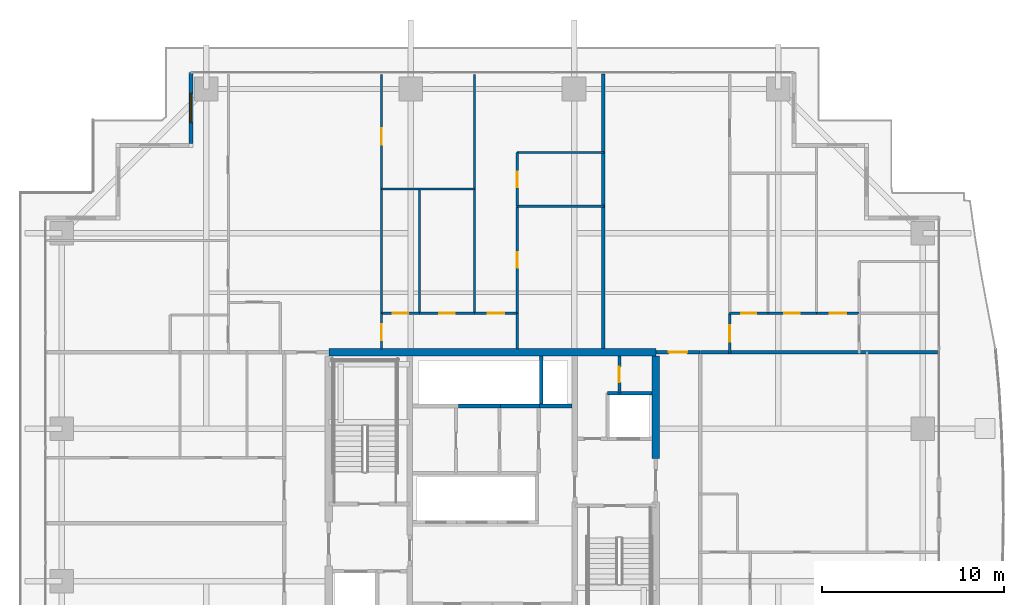
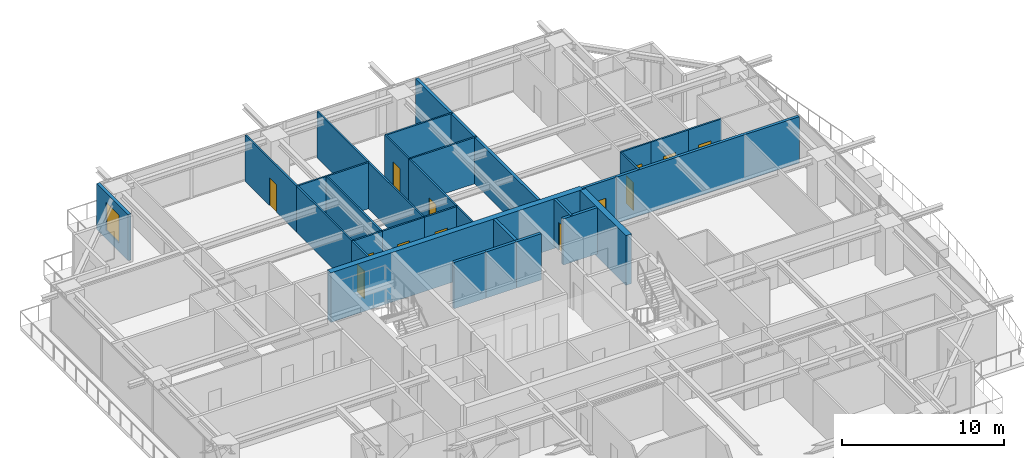
# One storey, part 31 of 38: 30 walls, 13 doors, 1 window, 14 openings.
"""IFC4 building model written with IfcOpenShell, lengths in metres."""

from ifc_helpers import new_model, si_unit, direction, frame, frame_2d, origin, place, context, subcontext, project, spatial, rectangle, extrude, source, transform, mapped, material, layer, layer_set, type_object, element, fill, save


model = new_model("IFC4")

# Units and contexts
model_context = context("Model", 3, precision=1e-05, world=origin(), true_north=direction((0.0, 1.0)))
body_context = subcontext(model_context, "Body", "Model", "MODEL_VIEW")
ifc_project = project(units=[si_unit("LENGTHUNIT", "METRE"), si_unit("AREAUNIT", "SQUARE_METRE"), si_unit("VOLUMEUNIT", "CUBIC_METRE"), si_unit("PLANEANGLEUNIT", "RADIAN"), si_unit("MASSUNIT", "GRAM", prefix="KILO")], contexts=[model_context])

# Site, building, storey
site_placement = place(None, origin())
site = spatial("IfcSite", under=ifc_project, at=site_placement, CompositionType="ELEMENT")
building_placement = place(site_placement, origin())
building = spatial("IfcBuilding", under=site, at=building_placement, Name="Serunith Strait Residences", CompositionType="ELEMENT")
storey_placement = place(building_placement, frame((0.0, 0.0, 176.39990234375)))
storey = spatial("IfcBuildingStorey", under=building, at=storey_placement, Name="L44", CompositionType="ELEMENT", Elevation=176.39990234375)

# Wall, opening, window
ifc_material_1 = material(Name="Pale-Champagne Aluminium Insulated Panel", Category="aluminium")
ifc_layer_1 = layer(ifc_material_1, 0.219970703125, Name="Pale-Champagne Aluminium Insulated Panel")
ifc_layer_set_1 = layer_set([ifc_layer_1], Name="Pale-Champagne Aluminium Insulated Panel")
wall_type_1 = type_object("IfcWallType", Name="EW-ALUM-220", PredefinedType="ELEMENTEDWALL", material=ifc_layer_set_1)
wall_1_placement = place(storey_placement, frame((15.800048828125, 49.0, 0.0), z_axis=(0.0, 0.0, 1.0), x_axis=(0.0, -1.0, 0.0)))
wall_1 = element("IfcWall", 1, at=wall_1_placement, inside=storey, type_object=wall_type_1, Name="L44 Girih Serrated Corner Wall 12", PredefinedType="ELEMENTEDWALL", context=body_context, shape_type="SweptSolid", body=[
    extrude(rectangle(XDim=3.889892578125, YDim=0.219970703125, at=frame_2d((1.94482421875, 0.0))), origin(), (0.0, 0.0, 1.0), 3.47509765625),
])
opening_1_placement = place(wall_1_placement, frame((1.14501953125, 0.0, 0.64990234375)))
opening_1 = element("IfcOpeningElement", 2, at=opening_1_placement, cuts=wall_1, Name="Opening W-02", PredefinedType="OPENING", context=body_context, shape_type="SweptSolid", body=[
    extrude(rectangle(XDim=1.60009765625, YDim=2.10009765625, at=frame_2d((0.800048828125, 1.050048828125))), frame((0.0, 0.1201171875, 0.0), z_axis=(0.0, -1.0, 0.0), x_axis=(1.0, 0.0, 0.0)), (0.0, 0.0, 1.0), 0.239990234375),
])
ifc_material_2 = material(Name="Ceramic-Fritted Operable Aluminium Window Glass", Category="aluminium")
window_type = type_object("IfcWindowType", Name="WIN-C2", PartitioningType="DOUBLE_PANEL_VERTICAL", PredefinedType="WINDOW", material=ifc_material_2)
shared_shape_1 = source(origin(), body_context, "Body", "SweptSolid", [
    extrude(rectangle(XDim=1.60009765625, YDim=2.10009765625, at=frame_2d((0.800048828125, 1.050048828125))), frame((0.0, 0.030029296875, 0.0), z_axis=(0.0, -1.0, 0.0), x_axis=(1.0, 0.0, 0.0)), (0.0, 0.0, 1.0), 0.06005859375),
])
window_placement = place(opening_1_placement, origin())
window = element("IfcWindow", 3, at=window_placement, inside=storey, type_object=window_type, Name="L44 Corner Operable Fritted Window 12", OverallHeight=2.10009765625, OverallWidth=1.60009765625, PartitioningType="SINGLE_PANEL", PredefinedType="WINDOW", context=body_context, shape_type="MappedRepresentation", body=[
    mapped(shared_shape_1, transform((0.0, 0.0, 0.0), scale=1.0)),
])
fill(opening_1, window)

# Wall, opening, door
ifc_material_3 = material(Name="Fire-rated masonry service closet wall", Category="masonry")
ifc_layer_2 = layer(ifc_material_3, 0.14990234375, Name="Fire-rated masonry service closet wall")
ifc_layer_set_2 = layer_set([ifc_layer_2], Name="Fire-rated masonry service closet wall")
wall_type_2 = type_object("IfcWallType", Name="IW-BOH-150", PredefinedType="PARTITIONING", material=ifc_layer_set_2)
wall_2_placement = place(storey_placement, frame((39.39990234375, 31.35009765625, 0.0), z_axis=(0.0, 0.0, 1.0), x_axis=(0.0, 1.0, 0.0)))
wall_2 = element("IfcWall", 4, at=wall_2_placement, inside=storey, type_object=wall_type_2, Name="L44 Partition Wall 013", PredefinedType="PARTITIONING", context=body_context, shape_type="SweptSolid", body=[
    extrude(rectangle(XDim=2.0498046875, YDim=0.14990234375, at=frame_2d((1.02490234375, 0.0))), origin(), (0.0, 0.0, 1.0), 3.489990234375),
])
opening_2_placement = place(wall_2_placement, frame((0.60009765625, 0.0, 0.0)))
opening_2 = element("IfcOpeningElement", 5, at=opening_2_placement, cuts=wall_2, Name="Opening FD-850", PredefinedType="OPENING", context=body_context, shape_type="SweptSolid", body=[
    extrude(rectangle(XDim=0.85009765625, YDim=2.10009765625, at=frame_2d((0.425048828125, 1.050048828125))), frame((0.0, 0.0849609375, 0.0), z_axis=(0.0, -1.0, 0.0), x_axis=(1.0, 0.0, 0.0)), (0.0, 0.0, 1.0), 0.169921875),
])
ifc_material_4 = material(Name="Powder-coated steel service closet door", Category="steel")
door_type_1 = type_object("IfcDoorType", Name="FD-BOH-850", OperationType="NOTDEFINED", PredefinedType="DOOR", material=ifc_material_4)
shared_shape_2 = source(origin(), body_context, "Body", "SweptSolid", [
    extrude(rectangle(XDim=0.85009765625, YDim=2.10009765625, at=frame_2d((0.425048828125, 1.050048828125))), frame((0.0, 0.02490234375, 0.0), z_axis=(0.0, -1.0, 0.0), x_axis=(1.0, 0.0, 0.0)), (0.0, 0.0, 1.0), 0.050048828125),
])
door_1_placement = place(opening_2_placement, origin())
door_1 = element("IfcDoor", 6, at=door_1_placement, inside=storey, type_object=door_type_1, Name="L44 Janitor Store Door", OperationType="SINGLE_SWING_LEFT", OverallHeight=2.10009765625, OverallWidth=0.85009765625, PredefinedType="DOOR", context=body_context, shape_type="MappedRepresentation", body=[
    mapped(shared_shape_2, transform((0.0, 0.0, 0.0), scale=1.0)),
])
fill(opening_2, door_1)

ifc_material_5 = material(Name="Fire-rated acoustic gypsum partition")
ifc_layer_3 = layer(ifc_material_5, 0.179931640625, Name="Fire-rated acoustic gypsum partition")
ifc_layer_set_3 = layer_set([ifc_layer_3], Name="Fire-rated acoustic gypsum partition")
wall_type_3 = type_object("IfcWallType", Name="IW-CORR-180", PredefinedType="PARTITIONING", material=ifc_layer_set_3)
wall_3_placement = place(storey_placement, frame((41.402099609375, 33.60009765625, 0.0), z_axis=(0.0, 0.0, 1.0), x_axis=(1.0, 0.0, 0.0)))
wall_3 = element("IfcWall", 7, at=wall_3_placement, inside=storey, type_object=wall_type_3, Name="L44 Partition Wall 031", PredefinedType="PARTITIONING", context=body_context, shape_type="SweptSolid", body=[
    extrude(rectangle(XDim=2.44580078125, YDim=0.179931640625, at=frame_2d((1.222900390625, 0.0))), origin(), (0.0, 0.0, 1.0), 3.489990234375),
])
opening_3_placement = place(wall_3_placement, frame((0.722900390625, 0.0, 0.0)))
opening_3 = element("IfcOpeningElement", 8, at=opening_3_placement, cuts=wall_3, Name="Opening D-APT1000", PredefinedType="OPENING", context=body_context, shape_type="SweptSolid", body=[
    extrude(rectangle(XDim=1.0, YDim=2.14990234375, at=frame_2d((0.5, 1.074951171875))), frame((0.0, 0.10009765625, 0.0), z_axis=(0.0, -1.0, 0.0), x_axis=(1.0, 0.0, 0.0)), (0.0, 0.0, 1.0), 0.199951171875),
])
ifc_material_6 = material(Name="Solid timber engineered fire door", Category="wood")
door_type_2 = type_object("IfcDoorType", Name="ID-APT-1000", OperationType="NOTDEFINED", PredefinedType="DOOR", material=ifc_material_6)
shared_shape_3 = source(origin(), body_context, "Body", "SweptSolid", [
    extrude(rectangle(XDim=1.0, YDim=2.14990234375, at=frame_2d((0.5, 1.074951171875))), frame((0.0, 0.02490234375, 0.0), z_axis=(0.0, -1.0, 0.0), x_axis=(1.0, 0.0, 0.0)), (0.0, 0.0, 1.0), 0.050048828125),
])
door_2_placement = place(opening_3_placement, origin())
door_2 = element("IfcDoor", 9, at=door_2_placement, inside=storey, type_object=door_type_2, Name="L44 Unit 04 Entrance Door", OperationType="SINGLE_SWING_LEFT", OverallHeight=2.14990234375, OverallWidth=1.0, PredefinedType="DOOR", context=body_context, shape_type="MappedRepresentation", body=[
    mapped(shared_shape_3, transform((0.0, 0.0, 0.0), scale=1.0)),
])
fill(opening_3, door_2)

ifc_material_7 = material(Name="Lightweight steel-stud gypsum partition", Category="steel")
ifc_layer_4 = layer(ifc_material_7, 0.1201171875, Name="Lightweight steel-stud gypsum partition")
ifc_layer_set_4 = layer_set([ifc_layer_4], Name="Lightweight steel-stud gypsum partition")
wall_type_4 = type_object("IfcWallType", Name="IW-PART-120", PredefinedType="PARTITIONING", material=ifc_layer_set_4)
wall_4_placement = place(storey_placement, frame((26.300048828125, 35.75, 0.0), z_axis=(0.0, 0.0, 1.0), x_axis=(0.0, -1.0, 0.0)))
wall_4 = element("IfcWall", 10, at=wall_4_placement, inside=storey, type_object=wall_type_4, Name="L44 Partition Wall 077", PredefinedType="PARTITIONING", context=body_context, shape_type="SweptSolid", body=[
    extrude(rectangle(XDim=1.949951171875, YDim=0.1201171875, at=frame_2d((0.97509765625, 0.0))), origin(), (0.0, 0.0, 1.0), 3.489990234375),
])
opening_4_placement = place(wall_4_placement, frame((0.594970703125, 0.0, 0.0)))
opening_4 = element("IfcOpeningElement", 11, at=opening_4_placement, cuts=wall_4, Name="Opening D-RM900", PredefinedType="OPENING", context=body_context, shape_type="SweptSolid", body=[
    extrude(rectangle(XDim=0.89990234375, YDim=2.10009765625, at=frame_2d((0.449951171875, 1.050048828125))), frame((0.0, 0.070068359375, 0.0), z_axis=(0.0, -1.0, 0.0), x_axis=(1.0, 0.0, 0.0)), (0.0, 0.0, 1.0), 0.14013671875),
])
ifc_material_8 = material(Name="Engineered timber flush bedroom door", Category="wood")
door_type_3 = type_object("IfcDoorType", Name="ID-ROOM-900", OperationType="NOTDEFINED", PredefinedType="DOOR", material=ifc_material_8)
shared_shape_4 = source(origin(), body_context, "Body", "SweptSolid", [
    extrude(rectangle(XDim=0.89990234375, YDim=2.10009765625, at=frame_2d((0.449951171875, 1.050048828125))), frame((0.0, 0.02490234375, 0.0), z_axis=(0.0, -1.0, 0.0), x_axis=(1.0, 0.0, 0.0)), (0.0, 0.0, 1.0), 0.050048828125),
])
door_3_placement = place(opening_4_placement, origin())
door_3 = element("IfcDoor", 12, at=door_3_placement, inside=storey, type_object=door_type_3, Name="L44 Hall E 4403 Door", OperationType="SINGLE_SWING_LEFT", OverallHeight=2.10009765625, OverallWidth=0.89990234375, PredefinedType="DOOR", context=body_context, shape_type="MappedRepresentation", body=[
    mapped(shared_shape_4, transform((0.0, 0.0, 0.0), scale=1.0)),
])
fill(opening_4, door_3)

wall_5_placement = place(storey_placement, frame((26.300048828125, 48.905029296875, 0.0), z_axis=(0.0, 0.0, 1.0), x_axis=(0.0, -1.0, 0.0)))
wall_5 = element("IfcWall", 13, at=wall_5_placement, inside=storey, type_object=wall_type_4, Name="L44 Partition Wall 078", PredefinedType="PARTITIONING", context=body_context, shape_type="SweptSolid", body=[
    extrude(rectangle(XDim=6.31298828125, YDim=0.1201171875, at=frame_2d((3.156494140625, 0.0))), origin(), (0.0, 0.0, 1.0), 3.489990234375),
])
opening_5_placement = place(wall_5_placement, frame((2.97705078125, 0.0, 0.0)))
opening_5 = element("IfcOpeningElement", 14, at=opening_5_placement, cuts=wall_5, Name="Opening D-RM900", PredefinedType="OPENING", context=body_context, shape_type="SweptSolid", body=[
    extrude(rectangle(XDim=0.89990234375, YDim=2.10009765625, at=frame_2d((0.449951171875, 1.050048828125))), frame((0.0, 0.070068359375, 0.0), z_axis=(0.0, -1.0, 0.0), x_axis=(1.0, 0.0, 0.0)), (0.0, 0.0, 1.0), 0.14013671875),
])
door_4_placement = place(opening_5_placement, origin())
door_4 = element("IfcDoor", 15, at=door_4_placement, inside=storey, type_object=door_type_3, Name="L44 Formal Dining Room 2 4403 Door", OperationType="SINGLE_SWING_RIGHT", OverallHeight=2.10009765625, OverallWidth=0.89990234375, PredefinedType="DOOR", context=body_context, shape_type="MappedRepresentation", body=[
    mapped(shared_shape_4, transform((0.0, 0.0, 0.0), scale=1.0)),
])
fill(opening_5, door_4)

# Walls
wall_6_placement = place(storey_placement, frame((26.300048828125, 42.590087890625, 0.0), z_axis=(0.0, 0.0, 1.0), x_axis=(0.0, -1.0, 0.0)))
element("IfcWall", 16, at=wall_6_placement, inside=storey, type_object=wall_type_4, Name="L44 Partition Wall 079", PredefinedType="PARTITIONING", context=body_context, shape_type="SweptSolid", body=[
    extrude(rectangle(XDim=6.838134765625, YDim=0.1201171875, at=frame_2d((3.4189453125, 0.0))), origin(), (0.0, 0.0, 1.0), 3.489990234375),
])
wall_7_placement = place(storey_placement, frame((26.300048828125, 42.592041015625, 0.0), z_axis=(0.0, 0.0, 1.0), x_axis=(1.0, 0.0, 0.0)))
element("IfcWall", 17, at=wall_7_placement, inside=storey, type_object=wall_type_4, Name="L44 Partition Wall 080", PredefinedType="PARTITIONING", context=body_context, shape_type="SweptSolid", body=[
    extrude(rectangle(XDim=5.119873046875, YDim=0.1201171875, at=frame_2d((2.56005859375, 0.0))), origin(), (0.0, 0.0, 1.0), 3.489990234375),
])
wall_8_placement = place(storey_placement, frame((31.419921875, 48.905029296875, 0.0), z_axis=(0.0, 0.0, 1.0), x_axis=(0.0, -1.0, 0.0)))
element("IfcWall", 18, at=wall_8_placement, inside=storey, type_object=wall_type_4, Name="L44 Partition Wall 081", PredefinedType="PARTITIONING", context=body_context, shape_type="SweptSolid", body=[
    extrude(rectangle(XDim=13.155029296875, YDim=0.1201171875, at=frame_2d((6.57763671875, 0.0))), origin(), (0.0, 0.0, 1.0), 3.489990234375),
])
wall_9_placement = place(storey_placement, frame((28.39990234375, 42.592041015625, 0.0), z_axis=(0.0, 0.0, 1.0), x_axis=(0.0, -1.0, 0.0)))
element("IfcWall", 19, at=wall_9_placement, inside=storey, type_object=wall_type_4, Name="L44 Partition Wall 082", PredefinedType="PARTITIONING", context=body_context, shape_type="SweptSolid", body=[
    extrude(rectangle(XDim=6.842041015625, YDim=0.1201171875, at=frame_2d((3.4208984375, 0.0))), origin(), (0.0, 0.0, 1.0), 3.489990234375),
])

# Wall, opening, door
wall_10_placement = place(storey_placement, frame((26.300048828125, 35.75, 0.0), z_axis=(0.0, 0.0, 1.0), x_axis=(1.0, 0.0, 0.0)))
wall_10 = element("IfcWall", 20, at=wall_10_placement, inside=storey, type_object=wall_type_4, Name="L44 Partition Wall 083", PredefinedType="PARTITIONING", context=body_context, shape_type="SweptSolid", body=[
    extrude(rectangle(XDim=2.099853515625, YDim=0.1201171875, at=frame_2d((1.0498046875, 0.0))), origin(), (0.0, 0.0, 1.0), 3.489990234375),
])
opening_6_placement = place(wall_10_placement, frame((0.625, 0.0, 0.0)))
opening_6 = element("IfcOpeningElement", 21, at=opening_6_placement, cuts=wall_10, Name="Opening D-RM850", PredefinedType="OPENING", context=body_context, shape_type="SweptSolid", body=[
    extrude(rectangle(XDim=0.85009765625, YDim=2.10009765625, at=frame_2d((0.425048828125, 1.050048828125))), frame((0.0, 0.070068359375, 0.0), z_axis=(0.0, -1.0, 0.0), x_axis=(1.0, 0.0, 0.0)), (0.0, 0.0, 1.0), 0.14013671875),
])
ifc_material_9 = material(Name="Engineered timber flush study and kitchen door", Category="wood")
door_type_4 = type_object("IfcDoorType", Name="ID-ROOM-850", OperationType="NOTDEFINED", PredefinedType="DOOR", material=ifc_material_9)
door_5_placement = place(opening_6_placement, origin())
door_5 = element("IfcDoor", 22, at=door_5_placement, inside=storey, type_object=door_type_4, Name="L44 Study 4403 Door", OperationType="SINGLE_SWING_LEFT", OverallHeight=2.10009765625, OverallWidth=0.85009765625, PredefinedType="DOOR", context=body_context, shape_type="MappedRepresentation", body=[
    mapped(shared_shape_2, transform((0.0, 0.0, 0.0), scale=1.0)),
])
fill(opening_6, door_5)

wall_11_placement = place(storey_placement, frame((28.402099609375, 35.75, 0.0), z_axis=(0.0, 0.0, 1.0), x_axis=(1.0, 0.0, 0.0)))
wall_11 = element("IfcWall", 23, at=wall_11_placement, inside=storey, type_object=wall_type_4, Name="L44 Partition Wall 084", PredefinedType="PARTITIONING", context=body_context, shape_type="SweptSolid", body=[
    extrude(rectangle(XDim=3.017822265625, YDim=0.1201171875, at=frame_2d((1.5087890625, 0.0))), origin(), (0.0, 0.0, 1.0), 3.489990234375),
])
opening_7_placement = place(wall_11_placement, frame((1.083984375, 0.0, 0.0)))
opening_7 = element("IfcOpeningElement", 24, at=opening_7_placement, cuts=wall_11, Name="Opening D-RM850", PredefinedType="OPENING", context=body_context, shape_type="SweptSolid", body=[
    extrude(rectangle(XDim=0.85009765625, YDim=2.10009765625, at=frame_2d((0.425048828125, 1.050048828125))), frame((0.0, 0.070068359375, 0.0), z_axis=(0.0, -1.0, 0.0), x_axis=(1.0, 0.0, 0.0)), (0.0, 0.0, 1.0), 0.14013671875),
])
door_6_placement = place(opening_7_placement, origin())
door_6 = element("IfcDoor", 25, at=door_6_placement, inside=storey, type_object=door_type_4, Name="L44 Formal Dining Room 4403 Door", OperationType="SINGLE_SWING_RIGHT", OverallHeight=2.10009765625, OverallWidth=0.85009765625, PredefinedType="DOOR", context=body_context, shape_type="MappedRepresentation", body=[
    mapped(shared_shape_2, transform((0.0, 0.0, 0.0), scale=1.0)),
])
fill(opening_7, door_6)

wall_12_placement = place(storey_placement, frame((31.422119140625, 35.75, 0.0), z_axis=(0.0, 0.0, 1.0), x_axis=(1.0, 0.0, 0.0)))
wall_12 = element("IfcWall", 26, at=wall_12_placement, inside=storey, type_object=wall_type_4, Name="L44 Partition Wall 085", PredefinedType="PARTITIONING", context=body_context, shape_type="SweptSolid", body=[
    extrude(rectangle(XDim=2.347900390625, YDim=0.1201171875, at=frame_2d((1.173828125, 0.0))), origin(), (0.0, 0.0, 1.0), 3.489990234375),
])
opening_8_placement = place(wall_12_placement, frame((0.72412109375, 0.0, 0.0)))
opening_8 = element("IfcOpeningElement", 27, at=opening_8_placement, cuts=wall_12, Name="Opening D-RM900", PredefinedType="OPENING", context=body_context, shape_type="SweptSolid", body=[
    extrude(rectangle(XDim=0.89990234375, YDim=2.10009765625, at=frame_2d((0.449951171875, 1.050048828125))), frame((0.0, 0.070068359375, 0.0), z_axis=(0.0, -1.0, 0.0), x_axis=(1.0, 0.0, 0.0)), (0.0, 0.0, 1.0), 0.14013671875),
])
door_7_placement = place(opening_8_placement, origin())
door_7 = element("IfcDoor", 28, at=door_7_placement, inside=storey, type_object=door_type_3, Name="L44 Master Bedroom E 4403 Door", OperationType="SINGLE_SWING_LEFT", OverallHeight=2.10009765625, OverallWidth=0.89990234375, PredefinedType="DOOR", context=body_context, shape_type="MappedRepresentation", body=[
    mapped(shared_shape_4, transform((0.0, 0.0, 0.0), scale=1.0)),
])
fill(opening_8, door_7)

# Walls
for number, where, z_axis, x_axis, name in (
    (29, (33.77001953125, 44.60595703125, 0.0), (0.0, 0.0, 1.0), (1.0, 0.0, 0.0), "L44 Partition Wall 086"),
    (30, (33.77001953125, 41.64599609375, 0.0), (0.0, 0.0, 1.0), (1.0, 0.0, 0.0), "L44 Partition Wall 087"),
):
    element("IfcWall", number, at=place(storey_placement, frame(where, z_axis=z_axis, x_axis=x_axis)), inside=storey, type_object=wall_type_4, Name=name, PredefinedType="PARTITIONING", context=body_context, shape_type="SweptSolid", body=[
        extrude(rectangle(XDim=4.7900390625, YDim=0.1201171875, at=frame_2d((2.39501953125, 0.0))), origin(), (0.0, 0.0, 1.0), 3.489990234375),
    ])

# Wall, opening, door
wall_13_placement = place(storey_placement, frame((33.77001953125, 44.60595703125, 0.0), z_axis=(0.0, 0.0, 1.0), x_axis=(0.0, -1.0, 0.0)))
wall_13 = element("IfcWall", 31, at=wall_13_placement, inside=storey, type_object=wall_type_4, Name="L44 Partition Wall 088", PredefinedType="PARTITIONING", context=body_context, shape_type="SweptSolid", body=[
    extrude(rectangle(XDim=2.9599609375, YDim=0.1201171875, at=frame_2d((1.47998046875, 0.0))), origin(), (0.0, 0.0, 1.0), 3.489990234375),
])
opening_9_placement = place(wall_13_placement, frame((1.054931640625, 0.0, 0.0)))
opening_9 = element("IfcOpeningElement", 32, at=opening_9_placement, cuts=wall_13, Name="Opening D-BTH850", PredefinedType="OPENING", context=body_context, shape_type="SweptSolid", body=[
    extrude(rectangle(XDim=0.85009765625, YDim=2.10009765625, at=frame_2d((0.425048828125, 1.050048828125))), frame((0.0, 0.070068359375, 0.0), z_axis=(0.0, -1.0, 0.0), x_axis=(1.0, 0.0, 0.0)), (0.0, 0.0, 1.0), 0.14013671875),
])
ifc_material_10 = material(Name="Moisture-resistant timber bathroom door", Category="wood")
door_type_5 = type_object("IfcDoorType", Name="ID-BATH-850", OperationType="NOTDEFINED", PredefinedType="DOOR", material=ifc_material_10)
door_8_placement = place(opening_9_placement, origin())
door_8 = element("IfcDoor", 33, at=door_8_placement, inside=storey, type_object=door_type_5, Name="L44 En-suite Bathroom E 4403 Door", OperationType="SINGLE_SWING_RIGHT", OverallHeight=2.10009765625, OverallWidth=0.85009765625, PredefinedType="DOOR", context=body_context, shape_type="MappedRepresentation", body=[
    mapped(shared_shape_2, transform((0.0, 0.0, 0.0), scale=1.0)),
])
fill(opening_9, door_8)

wall_14_placement = place(storey_placement, frame((33.77001953125, 41.64404296875, 0.0), z_axis=(0.0, 0.0, 1.0), x_axis=(0.0, -1.0, 0.0)))
wall_14 = element("IfcWall", 34, at=wall_14_placement, inside=storey, type_object=wall_type_4, Name="L44 Partition Wall 089", PredefinedType="PARTITIONING", context=body_context, shape_type="SweptSolid", body=[
    extrude(rectangle(XDim=5.89404296875, YDim=0.1201171875, at=frame_2d((2.947021484375, 0.0))), origin(), (0.0, 0.0, 1.0), 3.489990234375),
])
opening_10_placement = place(wall_14_placement, frame((2.52197265625, 0.0, 0.0)))
opening_10 = element("IfcOpeningElement", 35, at=opening_10_placement, cuts=wall_14, Name="Opening D-RM850", PredefinedType="OPENING", context=body_context, shape_type="SweptSolid", body=[
    extrude(rectangle(XDim=0.85009765625, YDim=2.10009765625, at=frame_2d((0.425048828125, 1.050048828125))), frame((0.0, 0.070068359375, 0.0), z_axis=(0.0, -1.0, 0.0), x_axis=(1.0, 0.0, 0.0)), (0.0, 0.0, 1.0), 0.14013671875),
])
door_9_placement = place(opening_10_placement, origin())
door_9 = element("IfcDoor", 36, at=door_9_placement, inside=storey, type_object=door_type_4, Name="L44 Wardrobe E 4403 Door", OperationType="SINGLE_SWING_LEFT", OverallHeight=2.10009765625, OverallWidth=0.85009765625, PredefinedType="DOOR", context=body_context, shape_type="MappedRepresentation", body=[
    mapped(shared_shape_2, transform((0.0, 0.0, 0.0), scale=1.0)),
])
fill(opening_10, door_9)

# Wall
wall_15_placement = place(storey_placement, frame((33.77001953125, 35.748046875, 0.0), z_axis=(0.0, 0.0, 1.0), x_axis=(0.0, -1.0, 0.0)))
element("IfcWall", 37, at=wall_15_placement, inside=storey, type_object=wall_type_4, Name="L44 Partition Wall 090", PredefinedType="PARTITIONING", context=body_context, shape_type="SweptSolid", body=[
    extrude(rectangle(XDim=1.947998046875, YDim=0.1201171875, at=frame_2d((0.97412109375, 0.0))), origin(), (0.0, 0.0, 1.0), 3.489990234375),
])

# Wall, opening, door
wall_16_placement = place(storey_placement, frame((45.469970703125, 35.75, 0.0), z_axis=(0.0, 0.0, 1.0), x_axis=(0.0, -1.0, 0.0)))
wall_16 = element("IfcWall", 38, at=wall_16_placement, inside=storey, type_object=wall_type_4, Name="L44 Partition Wall 091", PredefinedType="PARTITIONING", context=body_context, shape_type="SweptSolid", body=[
    extrude(rectangle(XDim=2.2099609375, YDim=0.1201171875, at=frame_2d((1.10498046875, 0.0))), origin(), (0.0, 0.0, 1.0), 3.489990234375),
])
opening_11_placement = place(wall_16_placement, frame((0.655029296875, 0.0, 0.0)))
opening_11 = element("IfcOpeningElement", 39, at=opening_11_placement, cuts=wall_16, Name="Opening D-RM900", PredefinedType="OPENING", context=body_context, shape_type="SweptSolid", body=[
    extrude(rectangle(XDim=0.89990234375, YDim=2.10009765625, at=frame_2d((0.449951171875, 1.050048828125))), frame((0.0, 0.070068359375, 0.0), z_axis=(0.0, -1.0, 0.0), x_axis=(1.0, 0.0, 0.0)), (0.0, 0.0, 1.0), 0.14013671875),
])
door_10_placement = place(opening_11_placement, origin())
door_10 = element("IfcDoor", 40, at=door_10_placement, inside=storey, type_object=door_type_3, Name="L44 Hall E 4404 Door", OperationType="SINGLE_SWING_RIGHT", OverallHeight=2.10009765625, OverallWidth=0.89990234375, PredefinedType="DOOR", context=body_context, shape_type="MappedRepresentation", body=[
    mapped(shared_shape_4, transform((0.0, 0.0, 0.0), scale=1.0)),
])
fill(opening_11, door_10)

wall_17_placement = place(storey_placement, frame((45.469970703125, 35.75, 0.0), z_axis=(0.0, 0.0, 1.0), x_axis=(1.0, 0.0, 0.0)))
wall_17 = element("IfcWall", 41, at=wall_17_placement, inside=storey, type_object=wall_type_4, Name="L44 Partition Wall 097", PredefinedType="PARTITIONING", context=body_context, shape_type="SweptSolid", body=[
    extrude(rectangle(XDim=2.10009765625, YDim=0.1201171875, at=frame_2d((1.050048828125, 0.0))), origin(), (0.0, 0.0, 1.0), 3.489990234375),
])
opening_12_placement = place(wall_17_placement, frame((0.625, 0.0, 0.0)))
opening_12 = element("IfcOpeningElement", 42, at=opening_12_placement, cuts=wall_17, Name="Opening D-BTH850", PredefinedType="OPENING", context=body_context, shape_type="SweptSolid", body=[
    extrude(rectangle(XDim=0.85009765625, YDim=2.10009765625, at=frame_2d((0.425048828125, 1.050048828125))), frame((0.0, 0.070068359375, 0.0), z_axis=(0.0, -1.0, 0.0), x_axis=(1.0, 0.0, 0.0)), (0.0, 0.0, 1.0), 0.14013671875),
])
door_11_placement = place(opening_12_placement, origin())
door_11 = element("IfcDoor", 43, at=door_11_placement, inside=storey, type_object=door_type_5, Name="L44 Bathroom 4404 Door", OperationType="SINGLE_SWING_RIGHT", OverallHeight=2.10009765625, OverallWidth=0.85009765625, PredefinedType="DOOR", context=body_context, shape_type="MappedRepresentation", body=[
    mapped(shared_shape_2, transform((0.0, 0.0, 0.0), scale=1.0)),
])
fill(opening_12, door_11)

wall_18_placement = place(storey_placement, frame((47.572021484375, 35.75, 0.0), z_axis=(0.0, 0.0, 1.0), x_axis=(1.0, 0.0, 0.0)))
wall_18 = element("IfcWall", 44, at=wall_18_placement, inside=storey, type_object=wall_type_4, Name="L44 Partition Wall 098", PredefinedType="PARTITIONING", context=body_context, shape_type="SweptSolid", body=[
    extrude(rectangle(XDim=2.677978515625, YDim=0.1201171875, at=frame_2d((1.3388671875, 0.0))), origin(), (0.0, 0.0, 1.0), 3.489990234375),
])
opening_13_placement = place(wall_18_placement, frame((0.9140625, 0.0, 0.0)))
opening_13 = element("IfcOpeningElement", 45, at=opening_13_placement, cuts=wall_18, Name="Opening D-RM850", PredefinedType="OPENING", context=body_context, shape_type="SweptSolid", body=[
    extrude(rectangle(XDim=0.85009765625, YDim=2.10009765625, at=frame_2d((0.425048828125, 1.050048828125))), frame((0.0, 0.070068359375, 0.0), z_axis=(0.0, -1.0, 0.0), x_axis=(1.0, 0.0, 0.0)), (0.0, 0.0, 1.0), 0.14013671875),
])
door_12_placement = place(opening_13_placement, origin())
door_12 = element("IfcDoor", 46, at=door_12_placement, inside=storey, type_object=door_type_4, Name="L44 Kitchen 4404 Door", OperationType="SINGLE_SWING_LEFT", OverallHeight=2.10009765625, OverallWidth=0.85009765625, PredefinedType="DOOR", context=body_context, shape_type="MappedRepresentation", body=[
    mapped(shared_shape_2, transform((0.0, 0.0, 0.0), scale=1.0)),
])
fill(opening_13, door_12)

wall_19_placement = place(storey_placement, frame((50.251953125, 35.75, 0.0), z_axis=(0.0, 0.0, 1.0), x_axis=(1.0, 0.0, 0.0)))
wall_19 = element("IfcWall", 47, at=wall_19_placement, inside=storey, type_object=wall_type_4, Name="L44 Partition Wall 099", PredefinedType="PARTITIONING", context=body_context, shape_type="SweptSolid", body=[
    extrude(rectangle(XDim=2.34814453125, YDim=0.1201171875, at=frame_2d((1.174072265625, 0.0))), origin(), (0.0, 0.0, 1.0), 3.489990234375),
])
opening_14_placement = place(wall_19_placement, frame((0.72412109375, 0.0, 0.0)))
opening_14 = element("IfcOpeningElement", 48, at=opening_14_placement, cuts=wall_19, Name="Opening D-RM900", PredefinedType="OPENING", context=body_context, shape_type="SweptSolid", body=[
    extrude(rectangle(XDim=0.89990234375, YDim=2.10009765625, at=frame_2d((0.449951171875, 1.050048828125))), frame((0.0, 0.070068359375, 0.0), z_axis=(0.0, -1.0, 0.0), x_axis=(1.0, 0.0, 0.0)), (0.0, 0.0, 1.0), 0.14013671875),
])
door_13_placement = place(opening_14_placement, origin())
door_13 = element("IfcDoor", 49, at=door_13_placement, inside=storey, type_object=door_type_3, Name="L44 Master Bedroom E 4404 Door", OperationType="SINGLE_SWING_RIGHT", OverallHeight=2.10009765625, OverallWidth=0.89990234375, PredefinedType="DOOR", context=body_context, shape_type="MappedRepresentation", body=[
    mapped(shared_shape_4, transform((0.0, 0.0, 0.0), scale=1.0)),
])
fill(opening_14, door_13)

# Walls
ifc_material_11 = material(Name="Twin-stud acoustic gypsum board partition")
ifc_layer_5 = layer(ifc_material_11, 0.199951171875, Name="Twin-stud acoustic gypsum board partition")
ifc_layer_set_5 = layer_set([ifc_layer_5], Name="Twin-stud acoustic gypsum board partition")
wall_type_5 = type_object("IfcWallType", Name="IW-PARTY-200", PredefinedType="PARTITIONING", material=ifc_layer_set_5)
wall_20_placement = place(storey_placement, frame((38.5, 33.800048828125, 0.0), z_axis=(0.0, 0.0, 1.0), x_axis=(0.0, 1.0, 0.0)))
element("IfcWall", 50, at=wall_20_placement, inside=storey, type_object=wall_type_5, Name="L44 Partition Wall 021", PredefinedType="PARTITIONING", context=body_context, shape_type="SweptSolid", body=[
    extrude(rectangle(XDim=15.117919921875, YDim=0.199951171875, at=frame_2d((7.55908203125, 0.0))), origin(), (0.0, 0.0, 1.0), 3.489990234375),
])
wall_21_placement = place(storey_placement, frame((43.85009765625, 33.60009765625, 0.0), z_axis=(0.0, 0.0, 1.0), x_axis=(1.0, 0.0, 0.0)))
element("IfcWall", 51, at=wall_21_placement, inside=storey, type_object=wall_type_5, Name="L44 Partition Wall 026", PredefinedType="PARTITIONING", context=body_context, shape_type="SweptSolid", body=[
    extrude(rectangle(XDim=13.06787109375, YDim=0.199951171875, at=frame_2d((6.533935546875, 0.0))), origin(), (0.0, 0.0, 1.0), 3.489990234375),
])
ifc_material_12 = material(Name="Autoclaved aerated concrete blockwork", Category="masonry")
ifc_layer_6 = layer(ifc_material_12, 0.199951171875, Name="Autoclaved aerated concrete blockwork")
ifc_layer_set_6 = layer_set([ifc_layer_6], Name="Autoclaved aerated concrete blockwork")
wall_type_6 = type_object("IfcWallType", Name="IW-SHAFT-200", PredefinedType="STANDARD", material=ifc_layer_set_6)
wall_22_placement = place(storey_placement, frame((30.550048828125, 30.64990234375, 0.0), z_axis=(0.0, 0.0, 1.0), x_axis=(1.0, 0.0, 0.0)))
element("IfcWall", 52, at=wall_22_placement, inside=storey, type_object=wall_type_6, Name="L44 PL-8 South Shaft Wall", PredefinedType="STANDARD", context=body_context, shape_type="SweptSolid", body=[
    extrude(rectangle(XDim=2.300048828125, YDim=0.199951171875, at=frame_2d((1.14990234375, 0.0))), origin(), (0.0, 0.0, 1.0), 3.489990234375),
])
wall_23_placement = place(storey_placement, frame((32.85009765625, 30.64990234375, 0.0), z_axis=(0.0, 0.0, 1.0), x_axis=(1.0, 0.0, 0.0)))
element("IfcWall", 53, at=wall_23_placement, inside=storey, type_object=wall_type_6, Name="L44 PL-9 South Shaft Wall", PredefinedType="STANDARD", context=body_context, shape_type="SweptSolid", body=[
    extrude(rectangle(XDim=2.14990234375, YDim=0.199951171875, at=frame_2d((1.074951171875, 0.0))), origin(), (0.0, 0.0, 1.0), 3.489990234375),
])
wall_24_placement = place(storey_placement, frame((35.0, 30.64990234375, 0.0), z_axis=(0.0, 0.0, 1.0), x_axis=(1.0, 0.0, 0.0)))
element("IfcWall", 54, at=wall_24_placement, inside=storey, type_object=wall_type_6, Name="L44 SL-1 South Shaft Wall", PredefinedType="STANDARD", context=body_context, shape_type="SweptSolid", body=[
    extrude(rectangle(XDim=1.800048828125, YDim=0.199951171875, at=frame_2d((0.89990234375, 0.0))), origin(), (0.0, 0.0, 1.0), 3.489990234375),
])
wall_25_placement = place(storey_placement, frame((35.10009765625, 30.75, 0.0), z_axis=(0.0, 0.0, 1.0), x_axis=(0.0, 1.0, 0.0)))
element("IfcWall", 55, at=wall_25_placement, inside=storey, type_object=wall_type_6, Name="L44 SL-1 West Shaft Wall", PredefinedType="STANDARD", context=body_context, shape_type="SweptSolid", body=[
    extrude(rectangle(XDim=2.64990234375, YDim=0.199951171875, at=frame_2d((1.324951171875, 0.0))), origin(), (0.0, 0.0, 1.0), 3.489990234375),
])
wall_26_placement = place(storey_placement, frame((38.75, 31.35009765625, 0.0), z_axis=(0.0, 0.0, 1.0), x_axis=(1.0, 0.0, 0.0)))
element("IfcWall", 56, at=wall_26_placement, inside=storey, type_object=wall_type_6, Name="L44 Partition Wall 005", PredefinedType="STANDARD", context=body_context, shape_type="SweptSolid", body=[
    extrude(rectangle(XDim=2.449951171875, YDim=0.199951171875, at=frame_2d((1.22509765625, 0.0))), origin(), (0.0, 0.0, 1.0), 3.489990234375),
])
ifc_material_13 = material(Name="Concrete C70/85", Category="concrete")
ifc_layer_7 = layer(ifc_material_13, 0.39990234375, Name="Concrete C70/85")
ifc_layer_set_7 = layer_set([ifc_layer_7], Name="Concrete C70/85")
wall_type_7 = type_object("IfcWallType", Name="SW-400-C70", PredefinedType="SHEAR", material=ifc_layer_set_7)
wall_27_placement = place(storey_placement, frame((41.39990234375, 33.60009765625, -0.260009765625), z_axis=(0.0, 0.0, 1.0), x_axis=(-1.0, 0.0, 0.0)))
element("IfcWall", 57, at=wall_27_placement, inside=storey, type_object=wall_type_7, Name="L44 Core North Shear Wall", PredefinedType="SHEAR", context=body_context, shape_type="SweptSolid", body=[
    extrude(rectangle(XDim=18.0, YDim=0.39990234375, at=frame_2d((9.0, 0.0))), origin(), (0.0, 0.0, 1.0), 3.748046875),
])
wall_28_placement = place(storey_placement, frame((41.39990234375, 27.75, -0.260009765625), z_axis=(0.0, 0.0, 1.0), x_axis=(0.0, 1.0, 0.0)))
element("IfcWall", 58, at=wall_28_placement, inside=storey, type_object=wall_type_7, Name="L44 Core East Shear Wall North Pier", PredefinedType="SHEAR", context=body_context, shape_type="SweptSolid", body=[
    extrude(rectangle(XDim=5.64990234375, YDim=0.39990234375, at=frame_2d((2.824951171875, 0.0))), origin(), (0.0, 0.0, 1.0), 3.748046875),
])

save(model, "model.ifc")
